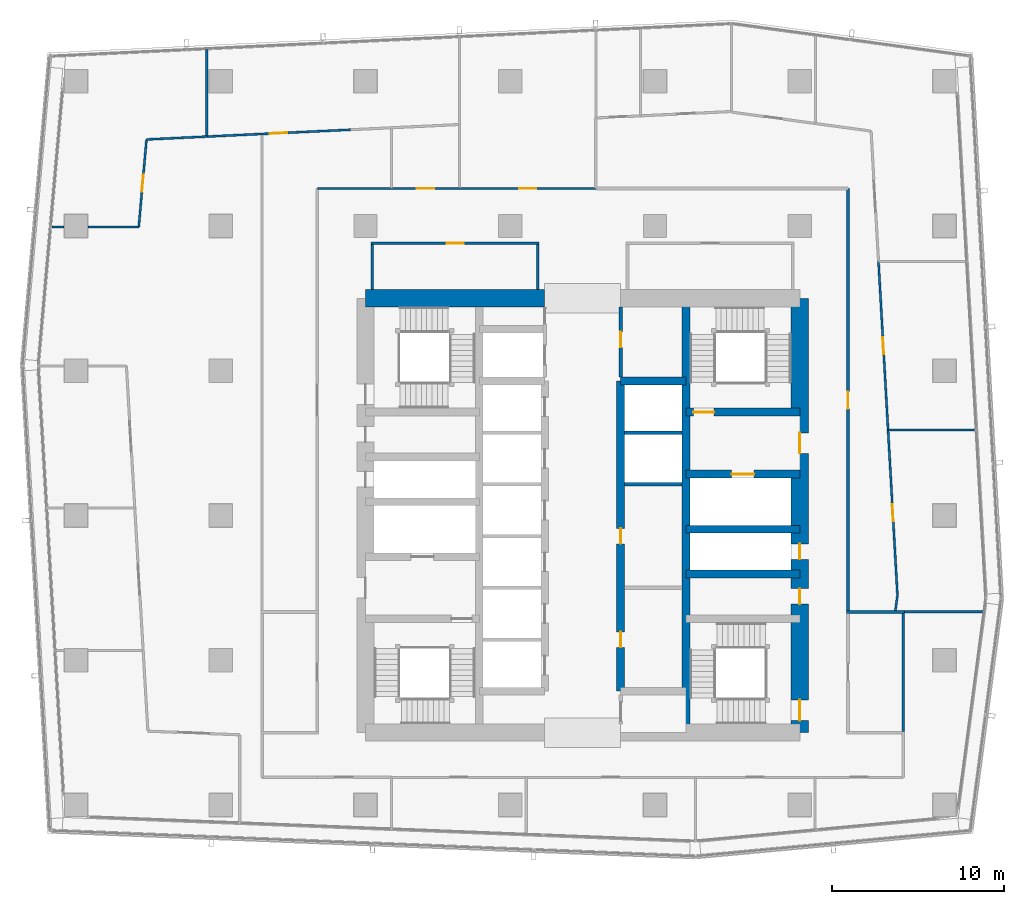
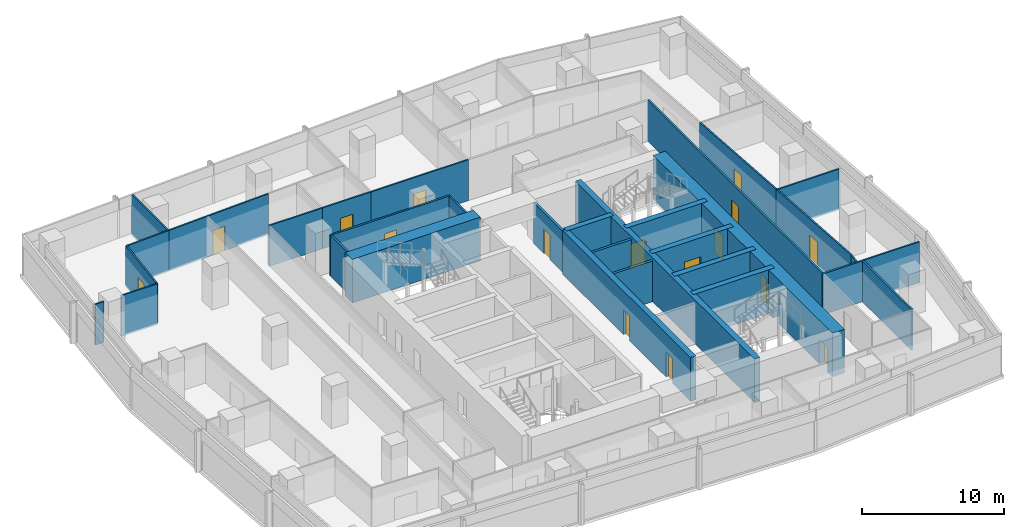
# One storey, part 29 of 38: 32 walls, 17 doors, 17 openings.
"""IFC4 building model written with IfcOpenShell, lengths in metres."""

from ifc_helpers import new_model, si_unit, direction, frame, frame_2d, origin, place, context, subcontext, project, spatial, rectangle, extrude, material, layer, layer_set, type_object, element, fill, save


model = new_model("IFC4")

# Units and contexts
model_context = context("Model", 3, precision=1e-05, world=origin(), true_north=direction((0.0, 1.0)))
body_context = subcontext(model_context, "Body", "Model", "MODEL_VIEW")
ifc_project = project(units=[si_unit("LENGTHUNIT", "METRE"), si_unit("AREAUNIT", "SQUARE_METRE"), si_unit("VOLUMEUNIT", "CUBIC_METRE"), si_unit("PLANEANGLEUNIT", "RADIAN"), si_unit("MASSUNIT", "GRAM", prefix="KILO")], contexts=[model_context])

# Site, building, storey
site_placement = place(None, origin())
site = spatial("IfcSite", under=ifc_project, at=site_placement, CompositionType="ELEMENT")
building_placement = place(site_placement, origin())
building = spatial("IfcBuilding", under=site, at=building_placement, Name="Rekha Terrace Tower", CompositionType="ELEMENT")
storey_placement = place(building_placement, frame((0.0, 0.0, 195.199951171875)))
storey = spatial("IfcBuildingStorey", under=building, at=storey_placement, Name="L49", CompositionType="ELEMENT", Elevation=195.199951171875)

# Wall
ifc_material_1 = material(Name="Concrete M60", Category="concrete")
ifc_layer_1 = layer(ifc_material_1, 0.449951171875)
ifc_layer_set_1 = layer_set([ifc_layer_1], Name="Concrete M60")
wall_type_1 = type_object("IfcWallType", Name="CI3 450 core internal shear wall", PredefinedType="SHEAR", material=ifc_layer_set_1)
wall_1_placement = place(storey_placement, frame((43.800048828125, 21.0, 0.0), z_axis=(0.0, 0.0, 1.0), x_axis=(0.0, 1.0, 0.0)))
element("IfcWall", 1, at=wall_1_placement, inside=storey, type_object=wall_type_1, Name="Core wall X438 L49", PredefinedType="SHEAR", context=body_context, shape_type="SweptSolid", body=[
    extrude(rectangle(XDim=25.199951171875, YDim=0.449951171875, at=frame_2d((12.60009765625, 0.0))), origin(), (0.0, 0.0, 1.0), 3.75),
])

# Wall, openings, doors
wall_2_placement = place(storey_placement, frame((40.0, 23.39990234375, 0.0), z_axis=(0.0, 0.0, 1.0), x_axis=(0.0, 1.0, 0.0)))
wall_2 = element("IfcWall", 2, at=wall_2_placement, inside=storey, type_object=wall_type_1, Name="Core wall X400 L49", PredefinedType="SHEAR", context=body_context, shape_type="SweptSolid", body=[
    extrude(rectangle(XDim=18.0, YDim=0.449951171875, at=frame_2d((9.0, 0.0))), origin(), (0.0, 0.0, 1.0), 3.75),
])
opening_1_placement = place(wall_2_placement, frame((2.550048828125, 0.0, 0.0)))
opening_1 = element("IfcOpeningElement", 3, at=opening_1_placement, cuts=wall_2, Name="Opening D5", PredefinedType="OPENING", context=body_context, shape_type="SweptSolid", body=[
    extrude(rectangle(XDim=0.89990234375, YDim=2.10009765625, at=frame_2d((0.449951171875, 1.050048828125))), frame((0.0, 0.23486328125, 0.0), z_axis=(0.0, -1.0, 0.0), x_axis=(1.0, 0.0, 0.0)), (0.0, 0.0, 1.0), 0.469970703125),
])
opening_2_placement = place(wall_2_placement, frame((8.550048828125, 0.0, 0.0)))
opening_2 = element("IfcOpeningElement", 4, at=opening_2_placement, cuts=wall_2, Name="Opening D5", PredefinedType="OPENING", context=body_context, shape_type="SweptSolid", body=[
    extrude(rectangle(XDim=0.89990234375, YDim=2.10009765625, at=frame_2d((0.449951171875, 1.050048828125))), frame((0.0, 0.23486328125, 0.0), z_axis=(0.0, -1.0, 0.0), x_axis=(1.0, 0.0, 0.0)), (0.0, 0.0, 1.0), 0.469970703125),
])
ifc_material_2 = material(Name="Steel fire door", Category="steel")
door_type_1 = type_object("IfcDoorType", Name="D5 900x2100 riser access door", OperationType="SINGLE_SWING_LEFT", PredefinedType="DOOR", material=ifc_material_2)
door_1_placement = place(opening_1_placement, origin())
door_1 = element("IfcDoor", 5, at=door_1_placement, inside=storey, type_object=door_type_1, Name="Door back-of-house store L49", OperationType="SINGLE_SWING_LEFT", OverallHeight=2.10009765625, OverallWidth=0.89990234375, PredefinedType="DOOR", context=body_context, shape_type="SweptSolid", body=[
    extrude(rectangle(XDim=0.89990234375, YDim=2.10009765625, at=frame_2d((0.449951171875, 1.050048828125))), frame((0.0, 0.02490234375, 0.0), z_axis=(0.0, -1.0, 0.0), x_axis=(1.0, 0.0, 0.0)), (0.0, 0.0, 1.0), 0.050048828125),
])
fill(opening_1, door_1)
door_2_placement = place(opening_2_placement, origin())
door_2 = element("IfcDoor", 6, at=door_2_placement, inside=storey, type_object=door_type_1, Name="Door back-of-house store L49", OperationType="SINGLE_SWING_LEFT", OverallHeight=2.10009765625, OverallWidth=0.89990234375, PredefinedType="DOOR", context=body_context, shape_type="SweptSolid", body=[
    extrude(rectangle(XDim=0.89990234375, YDim=2.10009765625, at=frame_2d((0.449951171875, 1.050048828125))), frame((0.0, 0.02490234375, 0.0), z_axis=(0.0, -1.0, 0.0), x_axis=(1.0, 0.0, 0.0)), (0.0, 0.0, 1.0), 0.050048828125),
])
fill(opening_2, door_2)

# Walls
wall_3_placement = place(storey_placement, frame((40.0, 41.39990234375, 0.0), z_axis=(0.0, 0.0, 1.0), x_axis=(1.0, 0.0, 0.0)))
element("IfcWall", 7, at=wall_3_placement, inside=storey, type_object=wall_type_1, Name="Core wall Y414E L49", PredefinedType="SHEAR", context=body_context, shape_type="SweptSolid", body=[
    extrude(rectangle(XDim=3.800048828125, YDim=0.449951171875, at=frame_2d((1.89990234375, 0.0))), origin(), (0.0, 0.0, 1.0), 3.75),
])
for number, where, z_axis, x_axis, name in (
    (8, (43.800048828125, 30.199951171875, 0.0), (0.0, 0.0, 1.0), (1.0, 0.0, 0.0), "Core wall Y302E L49"),
    (9, (43.800048828125, 32.800048828125, 0.0), (0.0, 0.0, 1.0), (1.0, 0.0, 0.0), "Core wall Y328E L49"),
):
    element("IfcWall", number, at=place(storey_placement, frame(where, z_axis=z_axis, x_axis=x_axis)), inside=storey, type_object=wall_type_1, Name=name, PredefinedType="SHEAR", context=body_context, shape_type="SweptSolid", body=[
        extrude(rectangle(XDim=6.599853515625, YDim=0.449951171875, at=frame_2d((3.2998046875, 0.0))), origin(), (0.0, 0.0, 1.0), 3.75),
    ])

# Wall, opening, door
wall_4_placement = place(storey_placement, frame((43.800048828125, 36.0, 0.0), z_axis=(0.0, 0.0, 1.0), x_axis=(1.0, 0.0, 0.0)))
wall_4 = element("IfcWall", 10, at=wall_4_placement, inside=storey, type_object=wall_type_1, Name="Core wall Y360E L49", PredefinedType="SHEAR", context=body_context, shape_type="SweptSolid", body=[
    extrude(rectangle(XDim=6.599853515625, YDim=0.449951171875, at=frame_2d((3.2998046875, 0.0))), origin(), (0.0, 0.0, 1.0), 3.75),
])
opening_3_placement = place(wall_4_placement, frame((2.64990234375, 0.0, 0.0)))
opening_3 = element("IfcOpeningElement", 11, at=opening_3_placement, cuts=wall_4, Name="Opening LD2", PredefinedType="OPENING", context=body_context, shape_type="SweptSolid", body=[
    extrude(rectangle(XDim=1.300048828125, YDim=2.10009765625, at=frame_2d((0.64990234375, 1.050048828125))), frame((0.0, 0.23486328125, 0.0), z_axis=(0.0, -1.0, 0.0), x_axis=(1.0, 0.0, 0.0)), (0.0, 0.0, 1.0), 0.469970703125),
])
ifc_material_3 = material(Name="Stainless steel sliding landing door", Category="steel")
door_type_2 = type_object("IfcDoorType", Name="LD2 1300x2100 fire lift landing door", OperationType="SLIDING_TO_LEFT", PredefinedType="USERDEFINED", material=ifc_material_3)
door_3_placement = place(opening_3_placement, origin())
door_3 = element("IfcDoor", 12, at=door_3_placement, inside=storey, type_object=door_type_2, Name="Lift FL2 landing door L49", ObjectType="LIFT LANDING DOOR", OperationType="SLIDING_TO_LEFT", OverallHeight=2.10009765625, OverallWidth=1.300048828125, PredefinedType="USERDEFINED", context=body_context, shape_type="SweptSolid", body=[
    extrude(rectangle(XDim=1.300048828125, YDim=2.10009765625, at=frame_2d((0.64990234375, 1.050048828125))), frame((0.0, 0.02490234375, 0.0), z_axis=(0.0, -1.0, 0.0), x_axis=(1.0, 0.0, 0.0)), (0.0, 0.0, 1.0), 0.050048828125),
])
fill(opening_3, door_3)

wall_5_placement = place(storey_placement, frame((43.800048828125, 39.60009765625, 0.0), z_axis=(0.0, 0.0, 1.0), x_axis=(1.0, 0.0, 0.0)))
wall_5 = element("IfcWall", 13, at=wall_5_placement, inside=storey, type_object=wall_type_1, Name="Core wall Y396E L49", PredefinedType="SHEAR", context=body_context, shape_type="SweptSolid", body=[
    extrude(rectangle(XDim=6.599853515625, YDim=0.449951171875, at=frame_2d((3.2998046875, 0.0))), origin(), (0.0, 0.0, 1.0), 3.75),
])
opening_4_placement = place(wall_5_placement, frame((0.425048828125, 0.0, 0.0)))
opening_4 = element("IfcOpeningElement", 14, at=opening_4_placement, cuts=wall_5, Name="Opening D1", PredefinedType="OPENING", context=body_context, shape_type="SweptSolid", body=[
    extrude(rectangle(XDim=1.199951171875, YDim=2.10009765625, at=frame_2d((0.60009765625, 1.050048828125))), frame((0.0, 0.23486328125, 0.0), z_axis=(0.0, -1.0, 0.0), x_axis=(1.0, 0.0, 0.0)), (0.0, 0.0, 1.0), 0.469970703125),
])
door_type_3 = type_object("IfcDoorType", Name="D1 1200x2100 stair fire door", OperationType="SINGLE_SWING_RIGHT", PredefinedType="DOOR", material=ifc_material_2)
door_4_placement = place(opening_4_placement, origin())
door_4 = element("IfcDoor", 15, at=door_4_placement, inside=storey, type_object=door_type_3, Name="Stair ST2 door L49", OperationType="SINGLE_SWING_RIGHT", OverallHeight=2.10009765625, OverallWidth=1.199951171875, PredefinedType="DOOR", context=body_context, shape_type="SweptSolid", body=[
    extrude(rectangle(XDim=1.199951171875, YDim=2.10009765625, at=frame_2d((0.60009765625, 1.050048828125))), frame((0.0, 0.02490234375, 0.0), z_axis=(0.0, -1.0, 0.0), x_axis=(1.0, 0.0, 0.0)), (0.0, 0.0, 1.0), 0.050048828125),
])
fill(opening_4, door_4)

# Wall
ifc_layer_2 = layer(ifc_material_1, 1.0)
ifc_layer_set_2 = layer_set([ifc_layer_2], Name="Concrete M60")
wall_type_2 = type_object("IfcWallType", Name="SW3 1000 core outer shear wall", PredefinedType="SHEAR", material=ifc_layer_set_2)
wall_6_placement = place(storey_placement, frame((25.199951171875, 46.199951171875, 0.0), z_axis=(0.0, 0.0, 1.0), x_axis=(1.0, 0.0, 0.0)))
element("IfcWall", 16, at=wall_6_placement, inside=storey, type_object=wall_type_2, Name="Core wall N1 L49", PredefinedType="SHEAR", context=body_context, shape_type="SweptSolid", body=[
    extrude(rectangle(XDim=10.400146484375, YDim=1.0, at=frame_2d((5.2001953125, 0.0))), origin(), (0.0, 0.0, 1.0), 3.75),
])

# Wall, openings, doors
wall_7_placement = place(storey_placement, frame((50.39990234375, 21.0, 0.0), z_axis=(0.0, 0.0, 1.0), x_axis=(0.0, 1.0, 0.0)))
wall_7 = element("IfcWall", 17, at=wall_7_placement, inside=storey, type_object=wall_type_2, Name="Core wall E L49", PredefinedType="SHEAR", context=body_context, shape_type="SweptSolid", body=[
    extrude(rectangle(XDim=25.199951171875, YDim=1.0, at=frame_2d((12.60009765625, 0.0))), origin(), (0.0, 0.0, 1.0), 3.75),
])
opening_5_placement = place(wall_7_placement, frame((16.199951171875, 0.0, 0.0)))
opening_5 = element("IfcOpeningElement", 18, at=opening_5_placement, cuts=wall_7, Name="Opening D2", PredefinedType="OPENING", context=body_context, shape_type="SweptSolid", body=[
    extrude(rectangle(XDim=1.199951171875, YDim=2.10009765625, at=frame_2d((0.60009765625, 1.050048828125))), frame((0.0, 0.510009765625, 0.0), z_axis=(0.0, -1.0, 0.0), x_axis=(1.0, 0.0, 0.0)), (0.0, 0.0, 1.0), 1.02001953125),
])
opening_6_placement = place(wall_7_placement, frame((10.050048828125, 0.0, 0.0)))
opening_6 = element("IfcOpeningElement", 19, at=opening_6_placement, cuts=wall_7, Name="Opening D5", PredefinedType="OPENING", context=body_context, shape_type="SweptSolid", body=[
    extrude(rectangle(XDim=0.89990234375, YDim=2.10009765625, at=frame_2d((0.449951171875, 1.050048828125))), frame((0.0, 0.510009765625, 0.0), z_axis=(0.0, -1.0, 0.0), x_axis=(1.0, 0.0, 0.0)), (0.0, 0.0, 1.0), 1.02001953125),
])
opening_7_placement = place(wall_7_placement, frame((7.449951171875, 0.0, 0.0)))
opening_7 = element("IfcOpeningElement", 20, at=opening_7_placement, cuts=wall_7, Name="Opening D5", PredefinedType="OPENING", context=body_context, shape_type="SweptSolid", body=[
    extrude(rectangle(XDim=0.89990234375, YDim=2.10009765625, at=frame_2d((0.449951171875, 1.050048828125))), frame((0.0, 0.510009765625, 0.0), z_axis=(0.0, -1.0, 0.0), x_axis=(1.0, 0.0, 0.0)), (0.0, 0.0, 1.0), 1.02001953125),
])
opening_8_placement = place(wall_7_placement, frame((0.699951171875, 0.0, 0.0)))
opening_8 = element("IfcOpeningElement", 21, at=opening_8_placement, cuts=wall_7, Name="Opening D1", PredefinedType="OPENING", context=body_context, shape_type="SweptSolid", body=[
    extrude(rectangle(XDim=1.199951171875, YDim=2.10009765625, at=frame_2d((0.60009765625, 1.050048828125))), frame((0.0, 0.510009765625, 0.0), z_axis=(0.0, -1.0, 0.0), x_axis=(1.0, 0.0, 0.0)), (0.0, 0.0, 1.0), 1.02001953125),
])
door_5_placement = place(opening_8_placement, origin())
door_5 = element("IfcDoor", 22, at=door_5_placement, inside=storey, type_object=door_type_3, Name="Stair ST3 door L49", OperationType="SINGLE_SWING_RIGHT", OverallHeight=2.10009765625, OverallWidth=1.199951171875, PredefinedType="DOOR", context=body_context, shape_type="SweptSolid", body=[
    extrude(rectangle(XDim=1.199951171875, YDim=2.10009765625, at=frame_2d((0.60009765625, 1.050048828125))), frame((0.0, 0.02490234375, 0.0), z_axis=(0.0, -1.0, 0.0), x_axis=(1.0, 0.0, 0.0)), (0.0, 0.0, 1.0), 0.050048828125),
])
fill(opening_8, door_5)
door_type_4 = type_object("IfcDoorType", Name="D2 1200x2100 firefighting lobby door", OperationType="SINGLE_SWING_LEFT", PredefinedType="DOOR", material=ifc_material_2)
door_6_placement = place(opening_5_placement, origin())
door_6 = element("IfcDoor", 23, at=door_6_placement, inside=storey, type_object=door_type_4, Name="Door flb2 L49", OperationType="SINGLE_SWING_LEFT", OverallHeight=2.10009765625, OverallWidth=1.199951171875, PredefinedType="DOOR", context=body_context, shape_type="SweptSolid", body=[
    extrude(rectangle(XDim=1.199951171875, YDim=2.10009765625, at=frame_2d((0.60009765625, 1.050048828125))), frame((0.0, 0.02490234375, 0.0), z_axis=(0.0, -1.0, 0.0), x_axis=(1.0, 0.0, 0.0)), (0.0, 0.0, 1.0), 0.050048828125),
])
fill(opening_5, door_6)
door_7_placement = place(opening_6_placement, origin())
door_7 = element("IfcDoor", 24, at=door_7_placement, inside=storey, type_object=door_type_1, Name="Door rs2 L49", OperationType="SINGLE_SWING_LEFT", OverallHeight=2.10009765625, OverallWidth=0.89990234375, PredefinedType="DOOR", context=body_context, shape_type="SweptSolid", body=[
    extrude(rectangle(XDim=0.89990234375, YDim=2.10009765625, at=frame_2d((0.449951171875, 1.050048828125))), frame((0.0, 0.02490234375, 0.0), z_axis=(0.0, -1.0, 0.0), x_axis=(1.0, 0.0, 0.0)), (0.0, 0.0, 1.0), 0.050048828125),
])
fill(opening_6, door_7)
door_8_placement = place(opening_7_placement, origin())
door_8 = element("IfcDoor", 25, at=door_8_placement, inside=storey, type_object=door_type_1, Name="Door ele L49", OperationType="SINGLE_SWING_LEFT", OverallHeight=2.10009765625, OverallWidth=0.89990234375, PredefinedType="DOOR", context=body_context, shape_type="SweptSolid", body=[
    extrude(rectangle(XDim=0.89990234375, YDim=2.10009765625, at=frame_2d((0.449951171875, 1.050048828125))), frame((0.0, 0.02490234375, 0.0), z_axis=(0.0, -1.0, 0.0), x_axis=(1.0, 0.0, 0.0)), (0.0, 0.0, 1.0), 0.050048828125),
])
fill(opening_7, door_8)

# Wall, opening, door
ifc_material_4 = material(Name="Concrete block masonry, 1 hour", Category="masonry")
ifc_layer_3 = layer(ifc_material_4, 0.14990234375)
ifc_layer_set_3 = layer_set([ifc_layer_3], Name="Concrete block masonry, 1 hour")
wall_type_3 = type_object("IfcWallType", Name="WP2 150 tenancy partition", PredefinedType="PARTITIONING", material=ifc_layer_set_3)
wall_8_placement = place(storey_placement, frame((25.52490234375, 49.39990234375, 0.0), z_axis=(0.0, 0.0, 1.0), x_axis=(1.0, 0.0, 0.0)))
wall_8 = element("IfcWall", 26, at=wall_8_placement, inside=storey, type_object=wall_type_3, Name="Women's WC wall L49", PredefinedType="PARTITIONING", context=body_context, shape_type="SweptSolid", body=[
    extrude(rectangle(XDim=9.75, YDim=0.14990234375, at=frame_2d((4.875, 0.0))), origin(), (0.0, 0.0, 1.0), 3.5),
])
opening_9_placement = place(wall_8_placement, frame((4.375, 0.0, 0.0)))
opening_9 = element("IfcOpeningElement", 27, at=opening_9_placement, cuts=wall_8, Name="Opening D3", PredefinedType="OPENING", context=body_context, shape_type="SweptSolid", body=[
    extrude(rectangle(XDim=1.0, YDim=2.10009765625, at=frame_2d((0.5, 1.050048828125))), frame((0.0, 0.0849609375, 0.0), z_axis=(0.0, -1.0, 0.0), x_axis=(1.0, 0.0, 0.0)), (0.0, 0.0, 1.0), 0.169921875),
])
ifc_material_5 = material(Name="Laminated timber fire door", Category="wood")
door_type_5 = type_object("IfcDoorType", Name="D3 1000x2100 WC door", OperationType="SINGLE_SWING_LEFT", PredefinedType="DOOR", material=ifc_material_5)
door_9_placement = place(opening_9_placement, origin())
door_9 = element("IfcDoor", 28, at=door_9_placement, inside=storey, type_object=door_type_5, Name="Door women's wc L49", OperationType="SINGLE_SWING_LEFT", OverallHeight=2.10009765625, OverallWidth=1.0, PredefinedType="DOOR", context=body_context, shape_type="SweptSolid", body=[
    extrude(rectangle(XDim=1.0, YDim=2.10009765625, at=frame_2d((0.5, 1.050048828125))), frame((0.0, 0.02490234375, 0.0), z_axis=(0.0, -1.0, 0.0), x_axis=(1.0, 0.0, 0.0)), (0.0, 0.0, 1.0), 0.050048828125),
])
fill(opening_9, door_9)

# Walls
for number, where, z_axis, x_axis, name in (
    (29, (25.60009765625, 46.699951171875, 0.0), (0.0, 0.0, 1.0), (0.0, 1.0, 0.0), "Women's WC wall L49"),
    (30, (35.199951171875, 46.699951171875, 0.0), (0.0, 0.0, 1.0), (0.0, 1.0, 0.0), "Women's WC wall L49"),
):
    element("IfcWall", number, at=place(storey_placement, frame(where, z_axis=z_axis, x_axis=x_axis)), inside=storey, type_object=wall_type_3, Name=name, PredefinedType="PARTITIONING", context=body_context, shape_type="SweptSolid", body=[
        extrude(rectangle(XDim=2.625, YDim=0.14990234375, at=frame_2d((1.3125, 0.0))), origin(), (0.0, 0.0, 1.0), 3.5),
    ])
wall_9_placement = place(storey_placement, frame((53.125, 28.0, 0.0), z_axis=(0.0, 0.0, 1.0), x_axis=(1.0, 0.0, 0.0)))
element("IfcWall", 31, at=wall_9_placement, inside=storey, type_object=wall_type_3, Name="Men's WC wall L49", PredefinedType="PARTITIONING", context=body_context, shape_type="SweptSolid", body=[
    extrude(rectangle(XDim=3.35009765625, YDim=0.14990234375, at=frame_2d((1.675048828125, 0.0))), origin(), (0.0, 0.0, 1.0), 3.5),
])
wall_10_placement = place(storey_placement, frame((56.39990234375, 21.074951171875, 0.0), z_axis=(0.0, 0.0, 1.0), x_axis=(0.0, 1.0, 0.0)))
element("IfcWall", 32, at=wall_10_placement, inside=storey, type_object=wall_type_3, Name="Men's WC wall L49", PredefinedType="PARTITIONING", context=body_context, shape_type="SweptSolid", body=[
    extrude(rectangle(XDim=6.85009765625, YDim=0.14990234375, at=frame_2d((3.425048828125, 0.0))), origin(), (0.0, 0.0, 1.0), 3.5),
])

# Wall, opening, door
wall_11_placement = place(storey_placement, frame((53.199951171875, 28.074951171875, 0.0), z_axis=(0.0, 0.0, 1.0), x_axis=(0.0, 1.0, 0.0)))
wall_11 = element("IfcWall", 33, at=wall_11_placement, inside=storey, type_object=wall_type_3, Name="Partition L49-O1", PredefinedType="PARTITIONING", context=body_context, shape_type="SweptSolid", body=[
    extrude(rectangle(XDim=24.5, YDim=0.14990234375, at=frame_2d((12.25, 0.0))), origin(), (0.0, 0.0, 1.0), 3.5),
])
opening_10_placement = place(wall_11_placement, frame((11.712890625, 0.0, 0.0)))
opening_10 = element("IfcOpeningElement", 34, at=opening_10_placement, cuts=wall_11, Name="Opening D9", PredefinedType="OPENING", context=body_context, shape_type="SweptSolid", body=[
    extrude(rectangle(XDim=1.0, YDim=2.10009765625, at=frame_2d((0.5, 1.050048828125))), frame((0.0, 0.0849609375, 0.0), z_axis=(0.0, -1.0, 0.0), x_axis=(1.0, 0.0, 0.0)), (0.0, 0.0, 1.0), 0.169921875),
])
ifc_material_6 = material(Name="Timber fire door", Category="wood")
door_type_6 = type_object("IfcDoorType", Name="D9 1000x2100 office door", OperationType="SINGLE_SWING_LEFT", PredefinedType="DOOR", material=ifc_material_6)
door_10_placement = place(opening_10_placement, origin())
door_10 = element("IfcDoor", 35, at=door_10_placement, inside=storey, type_object=door_type_6, Name="Door open-plan office L49", OperationType="SINGLE_SWING_LEFT", OverallHeight=2.10009765625, OverallWidth=1.0, PredefinedType="DOOR", context=body_context, shape_type="SweptSolid", body=[
    extrude(rectangle(XDim=1.0, YDim=2.10009765625, at=frame_2d((0.5, 1.050048828125))), frame((0.0, 0.02490234375, 0.0), z_axis=(0.0, -1.0, 0.0), x_axis=(1.0, 0.0, 0.0)), (0.0, 0.0, 1.0), 0.050048828125),
])
fill(opening_10, door_10)

# Walls
ifc_material_7 = material(Name="Two layers of fire-rated gypsum board each side on steel studs, acoustic quilt, 1 hour", Category="steel")
ifc_layer_4 = layer(ifc_material_7, 0.125)
ifc_layer_set_4 = layer_set([ifc_layer_4], Name="Two layers of fire-rated gypsum board each side on steel studs, acoustic quilt, 1 hour")
wall_type_4 = type_object("IfcWallType", Name="WP3 125 office partition", PredefinedType="PARTITIONING", material=ifc_layer_set_4)
wall_12_placement = place(storey_placement, frame((56.47607421875, 28.012939453125, 0.0), z_axis=(0.0, 0.0, 1.0), x_axis=(1.0, 0.0, 0.0)))
element("IfcWall", 36, at=wall_12_placement, inside=storey, type_object=wall_type_4, Name="Partition L49-04", PredefinedType="PARTITIONING", context=body_context, shape_type="SweptSolid", body=[
    extrude(rectangle(XDim=4.52783203125, YDim=0.125, at=frame_2d((2.263916015625, 0.0))), origin(), (0.0, 0.0, 1.0), 3.5),
])
wall_13_placement = place(storey_placement, frame((55.947998046875, 28.074951171875, 0.0), z_axis=(0.0, 0.0, 1.0), x_axis=(0.131403700017, 0.991328940172, 0.0)))
element("IfcWall", 37, at=wall_13_placement, inside=storey, type_object=wall_type_4, Name="Partition L49-05", PredefinedType="PARTITIONING", context=body_context, shape_type="SweptSolid", body=[
    extrude(rectangle(XDim=0.90478515625, YDim=0.125, at=frame_2d((0.452392578125, 0.0))), origin(), (0.0, 0.0, 1.0), 3.5),
])

# Wall, opening, door
wall_14_placement = place(storey_placement, frame((56.06689453125, 28.971923828125, 0.0), z_axis=(0.0, 0.0, 1.0), x_axis=(-0.056670220537, 0.99839295175, 0.0)))
wall_14 = element("IfcWall", 38, at=wall_14_placement, inside=storey, type_object=wall_type_4, Name="Partition L49-05", PredefinedType="PARTITIONING", context=body_context, shape_type="SweptSolid", body=[
    extrude(rectangle(XDim=9.598388671875, YDim=0.125, at=frame_2d((4.79931640625, 0.0))), origin(), (0.0, 0.0, 1.0), 3.5),
])
opening_11_placement = place(wall_14_placement, frame((4.299072265625, 0.0, 0.0)))
opening_11 = element("IfcOpeningElement", 39, at=opening_11_placement, cuts=wall_14, Name="Opening D9", PredefinedType="OPENING", context=body_context, shape_type="SweptSolid", body=[
    extrude(rectangle(XDim=1.0, YDim=2.10009765625, at=frame_2d((0.5, 1.050048828125))), frame((0.0, 0.072509765625, 0.0), z_axis=(0.0, -1.0, 0.0), x_axis=(1.0, 0.0, 0.0)), (0.0, 0.0, 1.0), 0.14501953125),
])
door_11_placement = place(opening_11_placement, origin())
door_11 = element("IfcDoor", 40, at=door_11_placement, inside=storey, type_object=door_type_6, Name="Door office L49", OperationType="SINGLE_SWING_LEFT", OverallHeight=2.10009765625, OverallWidth=1.0, PredefinedType="DOOR", context=body_context, shape_type="SweptSolid", body=[
    extrude(rectangle(XDim=1.0, YDim=2.10009765625, at=frame_2d((0.5, 1.050048828125))), frame((0.0, 0.02490234375, 0.0), z_axis=(0.0, -1.0, 0.0), x_axis=(1.0, 0.0, 0.0)), (0.0, 0.0, 1.0), 0.050048828125),
])
fill(opening_11, door_11)

# Wall
wall_15_placement = place(storey_placement, frame((55.52294921875, 38.554931640625, 0.0), z_axis=(0.0, 0.0, 1.0), x_axis=(1.0, 0.0, 0.0)))
element("IfcWall", 41, at=wall_15_placement, inside=storey, type_object=wall_type_4, Name="Partition L49-05", PredefinedType="PARTITIONING", context=body_context, shape_type="SweptSolid", body=[
    extrude(rectangle(XDim=5.028076171875, YDim=0.125, at=frame_2d((2.51416015625, 0.0))), origin(), (0.0, 0.0, 1.0), 3.5),
])

# Wall, opening, door
wall_16_placement = place(storey_placement, frame((55.52294921875, 38.555908203125, 0.0), z_axis=(0.0, 0.0, 1.0), x_axis=(-0.056678391694, 0.99839248791, 0.0)))
wall_16 = element("IfcWall", 42, at=wall_16_placement, inside=storey, type_object=wall_type_4, Name="Partition L49-06", PredefinedType="PARTITIONING", context=body_context, shape_type="SweptSolid", body=[
    extrude(rectangle(XDim=9.790771484375, YDim=0.125, at=frame_2d((4.8955078125, 0.0))), origin(), (0.0, 0.0, 1.0), 3.5),
])
opening_12_placement = place(wall_16_placement, frame((4.39501953125, 0.0, 0.0)))
opening_12 = element("IfcOpeningElement", 43, at=opening_12_placement, cuts=wall_16, Name="Opening D9", PredefinedType="OPENING", context=body_context, shape_type="SweptSolid", body=[
    extrude(rectangle(XDim=1.0, YDim=2.10009765625, at=frame_2d((0.5, 1.050048828125))), frame((0.0, 0.072509765625, 0.0), z_axis=(0.0, -1.0, 0.0), x_axis=(1.0, 0.0, 0.0)), (0.0, 0.0, 1.0), 0.14501953125),
])
door_12_placement = place(opening_12_placement, origin())
door_12 = element("IfcDoor", 44, at=door_12_placement, inside=storey, type_object=door_type_6, Name="Door office L49", OperationType="SINGLE_SWING_LEFT", OverallHeight=2.10009765625, OverallWidth=1.0, PredefinedType="DOOR", context=body_context, shape_type="SweptSolid", body=[
    extrude(rectangle(XDim=1.0, YDim=2.10009765625, at=frame_2d((0.5, 1.050048828125))), frame((0.0, 0.02490234375, 0.0), z_axis=(0.0, -1.0, 0.0), x_axis=(1.0, 0.0, 0.0)), (0.0, 0.0, 1.0), 0.050048828125),
])
fill(opening_12, door_12)

wall_17_placement = place(storey_placement, frame((24.31689453125, 55.98388671875, 0.0), z_axis=(0.0, 0.0, 1.0), x_axis=(-0.998859973319, -0.047736293327, 0.0)))
wall_17 = element("IfcWall", 45, at=wall_17_placement, inside=storey, type_object=wall_type_4, Name="Partition L49-12", PredefinedType="PARTITIONING", context=body_context, shape_type="SweptSolid", body=[
    extrude(rectangle(XDim=8.33642578125, YDim=0.125, at=frame_2d((4.168212890625, 0.0))), origin(), (0.0, 0.0, 1.0), 3.5),
])
opening_13_placement = place(wall_17_placement, frame((3.66796875, 0.0, 0.0)))
opening_13 = element("IfcOpeningElement", 46, at=opening_13_placement, cuts=wall_17, Name="Opening D9", PredefinedType="OPENING", context=body_context, shape_type="SweptSolid", body=[
    extrude(rectangle(XDim=1.0, YDim=2.10009765625, at=frame_2d((0.5, 1.050048828125))), frame((0.0, 0.072509765625, 0.0), z_axis=(0.0, -1.0, 0.0), x_axis=(1.0, 0.0, 0.0)), (0.0, 0.0, 1.0), 0.14501953125),
])
door_13_placement = place(opening_13_placement, origin())
door_13 = element("IfcDoor", 47, at=door_13_placement, inside=storey, type_object=door_type_6, Name="Door office L49", OperationType="SINGLE_SWING_LEFT", OverallHeight=2.10009765625, OverallWidth=1.0, PredefinedType="DOOR", context=body_context, shape_type="SweptSolid", body=[
    extrude(rectangle(XDim=1.0, YDim=2.10009765625, at=frame_2d((0.5, 1.050048828125))), frame((0.0, 0.02490234375, 0.0), z_axis=(0.0, -1.0, 0.0), x_axis=(1.0, 0.0, 0.0)), (0.0, 0.0, 1.0), 0.050048828125),
])
fill(opening_13, door_13)

# Walls
wall_18_placement = place(storey_placement, frame((15.989990234375, 55.5859375, 0.0), z_axis=(0.0, 0.0, 1.0), x_axis=(0.0, 1.0, 0.0)))
element("IfcWall", 48, at=wall_18_placement, inside=storey, type_object=wall_type_4, Name="Partition L49-12", PredefinedType="PARTITIONING", context=body_context, shape_type="SweptSolid", body=[
    extrude(rectangle(XDim=5.05615234375, YDim=0.125, at=frame_2d((2.528076171875, 0.0))), origin(), (0.0, 0.0, 1.0), 3.5),
])
wall_19_placement = place(storey_placement, frame((12.041015625, 50.33203125, 0.0), z_axis=(0.0, 0.0, 1.0), x_axis=(-1.0, 0.0, 0.0)))
element("IfcWall", 49, at=wall_19_placement, inside=storey, type_object=wall_type_4, Name="Partition L49-13", PredefinedType="PARTITIONING", context=body_context, shape_type="SweptSolid", body=[
    extrude(rectangle(XDim=2.946044921875, YDim=0.125, at=frame_2d((1.47314453125, 0.0))), origin(), (0.0, 0.0, 1.0), 3.5),
])
wall_20_placement = place(storey_placement, frame((7.705078125, 50.33203125, 0.0), z_axis=(0.0, 0.0, 1.0), x_axis=(-1.0, 0.0, 0.0)))
element("IfcWall", 50, at=wall_20_placement, inside=storey, type_object=wall_type_4, Name="Partition L49-13", PredefinedType="PARTITIONING", context=body_context, shape_type="SweptSolid", body=[
    extrude(rectangle(XDim=0.7041015625, YDim=0.125, at=frame_2d((0.35205078125, 0.0))), origin(), (0.0, 0.0, 1.0), 3.5),
])
wall_21_placement = place(storey_placement, frame((15.989013671875, 55.5859375, 0.0), z_axis=(0.0, 0.0, 1.0), x_axis=(-0.998849773225, -0.04794924951, 0.0)))
element("IfcWall", 51, at=wall_21_placement, inside=storey, type_object=wall_type_4, Name="Partition L49-13", PredefinedType="PARTITIONING", context=body_context, shape_type="SweptSolid", body=[
    extrude(rectangle(XDim=3.503173828125, YDim=0.125, at=frame_2d((1.75146484375, 0.0))), origin(), (0.0, 0.0, 1.0), 3.5),
])

# Wall, opening, door
wall_22_placement = place(storey_placement, frame((12.489990234375, 55.41796875, 0.0), z_axis=(0.0, 0.0, 1.0), x_axis=(-0.087935675848, -0.99612615512, 0.0)))
wall_22 = element("IfcWall", 52, at=wall_22_placement, inside=storey, type_object=wall_type_4, Name="Partition L49-13", PredefinedType="PARTITIONING", context=body_context, shape_type="SweptSolid", body=[
    extrude(rectangle(XDim=5.105712890625, YDim=0.125, at=frame_2d((2.552734375, 0.0))), origin(), (0.0, 0.0, 1.0), 3.5),
])
opening_14_placement = place(wall_22_placement, frame((2.052978515625, 0.0, 0.0)))
opening_14 = element("IfcOpeningElement", 53, at=opening_14_placement, cuts=wall_22, Name="Opening D9", PredefinedType="OPENING", context=body_context, shape_type="SweptSolid", body=[
    extrude(rectangle(XDim=1.0, YDim=2.10009765625, at=frame_2d((0.5, 1.050048828125))), frame((0.0, 0.072509765625, 0.0), z_axis=(0.0, -1.0, 0.0), x_axis=(1.0, 0.0, 0.0)), (0.0, 0.0, 1.0), 0.14501953125),
])
door_14_placement = place(opening_14_placement, origin())
door_14 = element("IfcDoor", 54, at=door_14_placement, inside=storey, type_object=door_type_6, Name="Door director's office L49", OperationType="SINGLE_SWING_LEFT", OverallHeight=2.10009765625, OverallWidth=1.0, PredefinedType="DOOR", context=body_context, shape_type="SweptSolid", body=[
    extrude(rectangle(XDim=1.0, YDim=2.10009765625, at=frame_2d((0.5, 1.050048828125))), frame((0.0, 0.02490234375, 0.0), z_axis=(0.0, -1.0, 0.0), x_axis=(1.0, 0.0, 0.0)), (0.0, 0.0, 1.0), 0.050048828125),
])
fill(opening_14, door_14)

# Wall
wall_23_placement = place(storey_placement, frame((26.7041015625, 52.574951171875, 0.0), z_axis=(0.0, 0.0, 1.0), x_axis=(-1.0, 0.0, 0.0)))
element("IfcWall", 55, at=wall_23_placement, inside=storey, type_object=wall_type_4, Name="Partition L49-18", PredefinedType="PARTITIONING", context=body_context, shape_type="SweptSolid", body=[
    extrude(rectangle(XDim=4.30419921875, YDim=0.125, at=frame_2d((2.152099609375, 0.0))), origin(), (0.0, 0.0, 1.0), 3.5),
])

# Wall, opening, door
wall_24_placement = place(storey_placement, frame((30.660888671875, 52.574951171875, 0.0), z_axis=(0.0, 0.0, 1.0), x_axis=(-1.0, 0.0, 0.0)))
wall_24 = element("IfcWall", 56, at=wall_24_placement, inside=storey, type_object=wall_type_4, Name="Partition L49-19", PredefinedType="PARTITIONING", context=body_context, shape_type="SweptSolid", body=[
    extrude(rectangle(XDim=3.956787109375, YDim=0.125, at=frame_2d((1.978515625, 0.0))), origin(), (0.0, 0.0, 1.0), 3.5),
])
opening_15_placement = place(wall_24_placement, frame((1.47900390625, 0.0, 0.0)))
opening_15 = element("IfcOpeningElement", 57, at=opening_15_placement, cuts=wall_24, Name="Opening D9", PredefinedType="OPENING", context=body_context, shape_type="SweptSolid", body=[
    extrude(rectangle(XDim=1.0, YDim=2.10009765625, at=frame_2d((0.5, 1.050048828125))), frame((0.0, 0.072509765625, 0.0), z_axis=(0.0, -1.0, 0.0), x_axis=(1.0, 0.0, 0.0)), (0.0, 0.0, 1.0), 0.14501953125),
])
door_15_placement = place(opening_15_placement, origin())
door_15 = element("IfcDoor", 58, at=door_15_placement, inside=storey, type_object=door_type_6, Name="Door storage room L49", OperationType="SINGLE_SWING_LEFT", OverallHeight=2.10009765625, OverallWidth=1.0, PredefinedType="DOOR", context=body_context, shape_type="SweptSolid", body=[
    extrude(rectangle(XDim=1.0, YDim=2.10009765625, at=frame_2d((0.5, 1.050048828125))), frame((0.0, 0.02490234375, 0.0), z_axis=(0.0, -1.0, 0.0), x_axis=(1.0, 0.0, 0.0)), (0.0, 0.0, 1.0), 0.050048828125),
])
fill(opening_15, door_15)

wall_25_placement = place(storey_placement, frame((38.570068359375, 52.574951171875, 0.0), z_axis=(0.0, 0.0, 1.0), x_axis=(-1.0, 0.0, 0.0)))
wall_25 = element("IfcWall", 59, at=wall_25_placement, inside=storey, type_object=wall_type_4, Name="Partition L49-21", PredefinedType="PARTITIONING", context=body_context, shape_type="SweptSolid", body=[
    extrude(rectangle(XDim=7.9091796875, YDim=0.125, at=frame_2d((3.95458984375, 0.0))), origin(), (0.0, 0.0, 1.0), 3.5),
])
opening_16_placement = place(wall_25_placement, frame((3.455078125, 0.0, 0.0)))
opening_16 = element("IfcOpeningElement", 60, at=opening_16_placement, cuts=wall_25, Name="Opening D9", PredefinedType="OPENING", context=body_context, shape_type="SweptSolid", body=[
    extrude(rectangle(XDim=1.0, YDim=2.10009765625, at=frame_2d((0.5, 1.050048828125))), frame((0.0, 0.072509765625, 0.0), z_axis=(0.0, -1.0, 0.0), x_axis=(1.0, 0.0, 0.0)), (0.0, 0.0, 1.0), 0.14501953125),
])
door_16_placement = place(opening_16_placement, origin())
door_16 = element("IfcDoor", 61, at=door_16_placement, inside=storey, type_object=door_type_6, Name="Door breakout lounge L49", OperationType="SINGLE_SWING_LEFT", OverallHeight=2.10009765625, OverallWidth=1.0, PredefinedType="DOOR", context=body_context, shape_type="SweptSolid", body=[
    extrude(rectangle(XDim=1.0, YDim=2.10009765625, at=frame_2d((0.5, 1.050048828125))), frame((0.0, 0.02490234375, 0.0), z_axis=(0.0, -1.0, 0.0), x_axis=(1.0, 0.0, 0.0)), (0.0, 0.0, 1.0), 0.050048828125),
])
fill(opening_16, door_16)

# Walls
ifc_material_8 = material(Name="Solid concrete block masonry, 2 hour", Category="masonry")
ifc_layer_5 = layer(ifc_material_8, 0.199951171875)
ifc_layer_set_5 = layer_set([ifc_layer_5], Name="Solid concrete block masonry, 2 hour")
wall_type_5 = type_object("IfcWallType", Name="WS1 200 stair and shaft enclosure", PredefinedType="PARTITIONING", material=ifc_layer_set_5)
for number, where, z_axis, x_axis, name in (
    (62, (40.22509765625, 35.39990234375, 0.0), (0.0, 0.0, 1.0), (1.0, 0.0, 0.0), "Lift shaft divider L49"),
    (63, (40.22509765625, 38.39990234375, 0.0), (0.0, 0.0, 1.0), (1.0, 0.0, 0.0), "Lift shaft divider L49"),
):
    element("IfcWall", number, at=place(storey_placement, frame(where, z_axis=z_axis, x_axis=x_axis)), inside=storey, type_object=wall_type_5, Name=name, PredefinedType="PARTITIONING", context=body_context, shape_type="SweptSolid", body=[
        extrude(rectangle(XDim=3.349853515625, YDim=0.199951171875, at=frame_2d((1.6748046875, 0.0))), origin(), (0.0, 0.0, 1.0), 3.5),
    ])

# Wall, opening, door
wall_26_placement = place(storey_placement, frame((40.0, 41.625, 0.0), z_axis=(0.0, 0.0, 1.0), x_axis=(0.0, 1.0, 0.0)))
wall_26 = element("IfcWall", 64, at=wall_26_placement, inside=storey, type_object=wall_type_5, Name="Core partition elec L49", PredefinedType="PARTITIONING", context=body_context, shape_type="SweptSolid", body=[
    extrude(rectangle(XDim=4.074951171875, YDim=0.199951171875, at=frame_2d((2.03759765625, 0.0))), origin(), (0.0, 0.0, 1.0), 3.5),
])
opening_17_placement = place(wall_26_placement, frame((1.72509765625, 0.0, 0.0)))
opening_17 = element("IfcOpeningElement", 65, at=opening_17_placement, cuts=wall_26, Name="Opening D5", PredefinedType="OPENING", context=body_context, shape_type="SweptSolid", body=[
    extrude(rectangle(XDim=0.89990234375, YDim=2.10009765625, at=frame_2d((0.449951171875, 1.050048828125))), frame((0.0, 0.10986328125, 0.0), z_axis=(0.0, -1.0, 0.0), x_axis=(1.0, 0.0, 0.0)), (0.0, 0.0, 1.0), 0.219970703125),
])
door_17_placement = place(opening_17_placement, origin())
door_17 = element("IfcDoor", 66, at=door_17_placement, inside=storey, type_object=door_type_1, Name="Door electrical room L49", OperationType="SINGLE_SWING_LEFT", OverallHeight=2.10009765625, OverallWidth=0.89990234375, PredefinedType="DOOR", context=body_context, shape_type="SweptSolid", body=[
    extrude(rectangle(XDim=0.89990234375, YDim=2.10009765625, at=frame_2d((0.449951171875, 1.050048828125))), frame((0.0, 0.02490234375, 0.0), z_axis=(0.0, -1.0, 0.0), x_axis=(1.0, 0.0, 0.0)), (0.0, 0.0, 1.0), 0.050048828125),
])
fill(opening_17, door_17)

save(model, "model.ifc")
